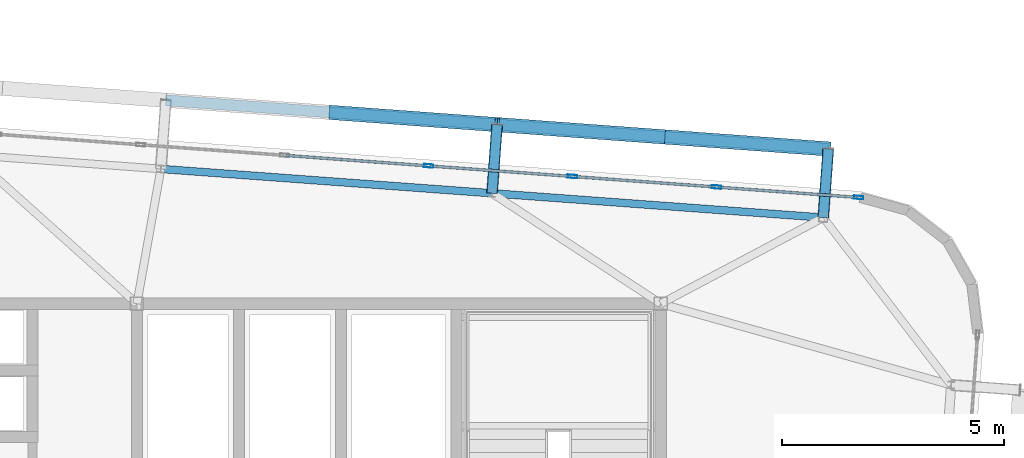
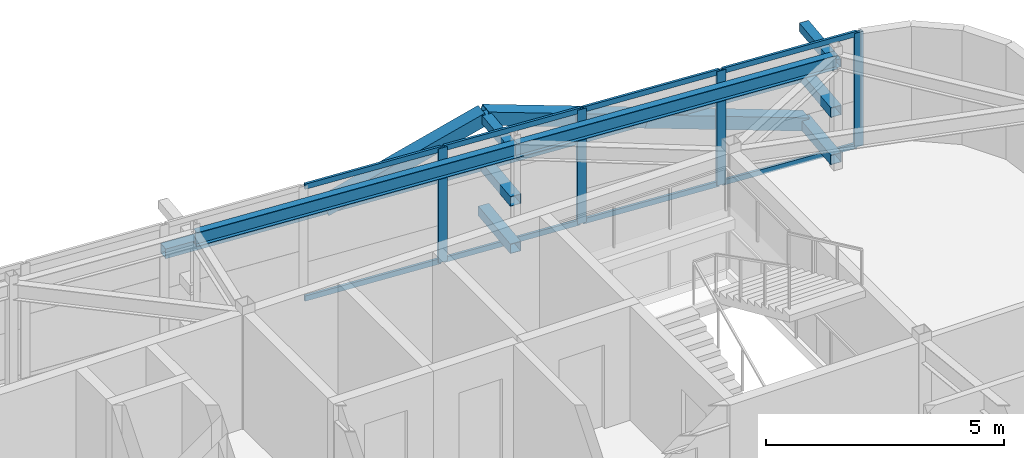
# One storey, part 28 of 42: 23 members, 2 beams, 1 element without a shape of its own.
"""IFC4 building model written with IfcOpenShell, lengths in metres."""

import ifcopenshell
import ifcopenshell.guid

model = None  # the IFC model being written
_history = None  # IfcOwnerHistory: only IFC2X3 demands one
_inside = {}  # id of a spatial element -> (the spatial element, [elements in it])
_under = {}  # id of a project, library or spatial element -> (it, [spatial elements below it])
_declared = {}  # id of a project -> (the project, [libraries it declares])
_typed = {}  # id of a type object -> (the type object, [elements of that type])
_made_of = {}  # id of a material, layer set ... -> (it, [elements and type objects made of it])


def new_model(schema):
    """Start an empty IFC model of exactly this schema.

    Asked for "IFC4X3", IfcOpenShell would pick the latest addendum, in which some entities
    have other attributes; the version numbers below select the first issue.
    IFC2X3 requires an IfcOwnerHistory on every rooted entity: one is made here for all.
    """
    global model, _history
    if schema == "IFC4X3":
        model = ifcopenshell.file(schema_version=(4, 3, 0, 0))
    else:
        model = ifcopenshell.file(schema=schema)
    _inside.clear()
    _under.clear()
    _declared.clear()
    _typed.clear()
    _made_of.clear()
    _history = None
    if model.schema == "IFC2X3":
        org = make("IfcOrganization", Name="unknown")
        user = make(
            "IfcPersonAndOrganization",
            ThePerson=make("IfcPerson", FamilyName="unknown"),
            TheOrganization=org,
        )
        app = make(
            "IfcApplication",
            ApplicationDeveloper=org,
            Version="unknown",
            ApplicationFullName="unknown",
            ApplicationIdentifier="unknown",
        )
        _history = make(
            "IfcOwnerHistory",
            OwningUser=user,
            OwningApplication=app,
            ChangeAction="ADDED",
            CreationDate=0,
        )
    return model


def make(cls, **values):
    """One entity of the class cls with the attributes given. An attribute that is None is left unset."""
    return model.create_entity(
        cls, **{name: value for name, value in values.items() if value is not None}
    )


def rooted(cls, **values):
    """An entity with a GlobalId (a new one), such as an element, a storey or a relation."""
    return make(cls, GlobalId=ifcopenshell.guid.new(), OwnerHistory=_history, **values)


def si_unit(unit_type, name, prefix=None):
    """IfcSIUnit, for example si_unit("LENGTHUNIT", "METRE", prefix="MILLI")."""
    return make("IfcSIUnit", UnitType=unit_type, Prefix=prefix, Name=name)


def assignment(units):
    """IfcUnitAssignment: the units of a project."""
    return None if units is None else make("IfcUnitAssignment", Units=units)


def point(xyz):
    """IfcCartesianPoint."""
    return None if xyz is None else make("IfcCartesianPoint", Coordinates=xyz)


def direction(xyz):
    """IfcDirection."""
    return None if xyz is None else make("IfcDirection", DirectionRatios=xyz)


def frame(location, z_axis=None, x_axis=None):
    """IfcAxis2Placement3D, a coordinate frame: its origin and axes. An axis left out is left unset."""
    return make(
        "IfcAxis2Placement3D",
        Location=point(location),
        Axis=direction(z_axis),
        RefDirection=direction(x_axis),
    )


def frame_2d(location, x_axis=None):
    """IfcAxis2Placement2D, a coordinate frame in the plane: its origin and x axis."""
    return make(
        "IfcAxis2Placement2D", Location=point(location), RefDirection=direction(x_axis)
    )


def origin():
    """The frame at (0, 0, 0) with its axes left unset."""
    return frame((0.0, 0.0, 0.0))


def origin_2d():
    """The frame at (0, 0) in the plane with its x axis left unset."""
    return frame_2d((0.0, 0.0))


def place(relative_to, where):
    """IfcLocalPlacement: puts the frame where relative to a parent placement (None: the world)."""
    return make(
        "IfcLocalPlacement", PlacementRelTo=relative_to, RelativePlacement=where
    )


def context(
    kind, dimensions, precision=None, world=None, true_north=None, identifier=None
):
    """IfcGeometricRepresentationContext, for example the 3D "Model" context."""
    return make(
        "IfcGeometricRepresentationContext",
        ContextIdentifier=identifier,
        ContextType=kind,
        CoordinateSpaceDimension=dimensions,
        Precision=precision,
        WorldCoordinateSystem=world,
        TrueNorth=true_north,
    )


def subcontext(parent, identifier, kind, view, scale=None):
    """IfcGeometricRepresentationSubContext, for example "Body" below "Model"."""
    return make(
        "IfcGeometricRepresentationSubContext",
        ContextIdentifier=identifier,
        ContextType=kind,
        ParentContext=parent,
        TargetScale=scale,
        TargetView=view,
    )


def project(units=None, contexts=None):
    """IfcProject with its units and contexts."""
    return rooted(
        "IfcProject",
        Name="project",
        RepresentationContexts=contexts,
        UnitsInContext=assignment(units),
    )


def spatial(cls, under=None, at=None, **own):
    """A site, building, storey or space (cls), placed at a placement, below another one or the project."""
    s = rooted(cls, ObjectPlacement=at, **own)
    if under is not None:
        _under.setdefault(under.id(), (under, []))[1].append(s)
    return s


def profile(cls, at=None, kind="AREA", **sizes):
    """A parametric profile (cls). Its sizes go by their IFC names, for example OverallWidth=200.0."""
    return make(cls, ProfileType=kind, Position=at, **sizes)


def hollow_rectangle(**sizes):
    """IfcRectangleHollowProfileDef."""
    return profile("IfcRectangleHollowProfileDef", **sizes)


def i_section(**sizes):
    """IfcIShapeProfileDef."""
    return profile("IfcIShapeProfileDef", **sizes)


def extrude(swept, where, along, depth):
    """IfcExtrudedAreaSolid: the profile swept, set in the frame where, extruded along a direction by depth."""
    return make(
        "IfcExtrudedAreaSolid",
        SweptArea=swept,
        Position=where,
        ExtrudedDirection=direction(along),
        Depth=depth,
    )


def shape(context_of_items, identifier, shape_type, items):
    """IfcShapeRepresentation: the items that make up one representation, for example the "Body"."""
    return make(
        "IfcShapeRepresentation",
        ContextOfItems=context_of_items,
        RepresentationIdentifier=identifier,
        RepresentationType=shape_type,
        Items=items,
    )


def source(mapping_origin, context_of_items, identifier, shape_type, items):
    """IfcRepresentationMap: a shape defined once, which mapped items show again and again."""
    return make(
        "IfcRepresentationMap",
        MappingOrigin=mapping_origin,
        MappedRepresentation=shape(context_of_items, identifier, shape_type, items),
    )


def transform(
    local_origin,
    x_axis=None,
    y_axis=None,
    z_axis=None,
    scale=None,
    scale2=None,
    scale3=None,
    uniform=True,
):
    """IfcCartesianTransformationOperator3D, or its non-uniform kind. x_axis, y_axis, z_axis: its Axis1, 2, 3."""
    if uniform:
        return make(
            "IfcCartesianTransformationOperator3D",
            Axis1=direction(x_axis),
            Axis2=direction(y_axis),
            LocalOrigin=point(local_origin),
            Scale=scale,
            Axis3=direction(z_axis),
        )
    return make(
        "IfcCartesianTransformationOperator3DnonUniform",
        Axis1=direction(x_axis),
        Axis2=direction(y_axis),
        LocalOrigin=point(local_origin),
        Scale=scale,
        Axis3=direction(z_axis),
        Scale2=scale2,
        Scale3=scale3,
    )


def mapped(mapping_source, mapping_target):
    """IfcMappedItem: shows the shape of a source again, moved by a transform."""
    return make(
        "IfcMappedItem", MappingSource=mapping_source, MappingTarget=mapping_target
    )


def material(Name=None, Category=None):
    """IfcMaterial."""
    return make("IfcMaterial", Name=Name, Category=Category)


def layer(
    of_material, thickness, ventilated=None, Name=None, Category=None, Priority=None
):
    """IfcMaterialLayer: one layer of a wall or slab, of a material (None: an air gap)."""
    return make(
        "IfcMaterialLayer",
        Material=of_material,
        LayerThickness=thickness,
        IsVentilated=ventilated,
        Name=Name,
        Category=Category,
        Priority=Priority,
    )


def layer_set(layers, Name=None):
    """IfcMaterialLayerSet."""
    return make("IfcMaterialLayerSet", MaterialLayers=layers, LayerSetName=Name)


def material_profile(
    of_material, cross_section, Name=None, Category=None, Priority=None
):
    """IfcMaterialProfile: a cross section and its material."""
    return make(
        "IfcMaterialProfile",
        Name=Name,
        Material=of_material,
        Profile=cross_section,
        Priority=Priority,
        Category=Category,
    )


def profile_set(profiles, Name=None, composite=None):
    """IfcMaterialProfileSet."""
    return make(
        "IfcMaterialProfileSet",
        Name=Name,
        MaterialProfiles=profiles,
        CompositeProfile=composite,
    )


def made_of(thing, what):
    """Note that an element or type object is made of a material, layer set ...; save() writes the relation."""
    if what is not None:
        _made_of.setdefault(what.id(), (what, []))[1].append(thing)
    return thing


def type_object(cls, material=None, **own):
    """A type object (cls), such as IfcWallType, which elements share."""
    return made_of(rooted(cls, **own), material)


def element(
    cls,
    number,
    at=None,
    inside=None,
    cuts=None,
    type_object=None,
    material=None,
    context=None,
    identifier="Body",
    shape_type=None,
    held_by="IfcProductDefinitionShape",
    body=None,
    shapes=None,
    **own,
):
    """One element of the class cls, such as IfcWall. Its Tag is "e" and its number.

    at: its placement. inside: the storey or other place that contains it. cuts: it is an
    opening in that element (IfcRelVoidsElement). A single representation is given by context,
    identifier, shape_type and body (its items); several are given by shapes. held_by: the class
    of the entity that holds the representations. save() writes the other relations.
    """
    e = rooted(cls, Tag="e%d" % number, ObjectPlacement=at, **own)
    if body is not None:
        shapes = [shape(context, identifier, shape_type, body)]
    if shapes is not None:
        e.Representation = make(held_by, Representations=shapes)
    if inside is not None:
        _inside.setdefault(inside.id(), (inside, []))[1].append(e)
    if cuts is not None:
        rooted(
            "IfcRelVoidsElement", RelatingBuildingElement=cuts, RelatedOpeningElement=e
        )
    if type_object is not None:
        _typed.setdefault(type_object.id(), (type_object, []))[1].append(e)
    return made_of(e, material)


def aggregate(whole, parts):
    """IfcRelAggregates: a whole, such as a stair, and the parts it consists of."""
    return rooted("IfcRelAggregates", RelatingObject=whole, RelatedObjects=parts)


def save(model, path):
    """Write the relations noted so far, then the file.

    IfcRelAggregates (storeys below a building ...), IfcRelContainedInSpatialStructure (elements
    in a storey), IfcRelDefinesByType, IfcRelAssociatesMaterial and IfcRelDeclares: one each for
    every whole, place, type object, material and project.
    """
    for whole, parts in _under.values():
        aggregate(whole, parts)
    for where, things in _inside.values():
        rooted(
            "IfcRelContainedInSpatialStructure",
            RelatedElements=things,
            RelatingStructure=where,
        )
    for kind, things in _typed.values():
        rooted("IfcRelDefinesByType", RelatedObjects=things, RelatingType=kind)
    for what, things in _made_of.values():
        rooted("IfcRelAssociatesMaterial", RelatedObjects=things, RelatingMaterial=what)
    for by, libraries in _declared.values():
        rooted("IfcRelDeclares", RelatingContext=by, RelatedDefinitions=libraries)
    model.write(path)


model = new_model("IFC4")

# Units and contexts
model_context = context("Model", 3, precision=1e-05, world=origin(), true_north=direction((0.0, 1.0)))
body_context = subcontext(model_context, "Body", "Model", "MODEL_VIEW")
ifc_project = project(units=[si_unit("LENGTHUNIT", "METRE"), si_unit("AREAUNIT", "SQUARE_METRE"), si_unit("VOLUMEUNIT", "CUBIC_METRE"), si_unit("PLANEANGLEUNIT", "RADIAN"), si_unit("MASSUNIT", "GRAM", prefix="KILO")], contexts=[model_context])

# Site, building, storey
site_placement = place(None, origin())
site = spatial("IfcSite", under=ifc_project, at=site_placement, CompositionType="ELEMENT")
building_placement = place(site_placement, origin())
building = spatial("IfcBuilding", under=site, at=building_placement, Name="Taldren Reach Tower", CompositionType="ELEMENT")
storey_placement = place(building_placement, frame((0.0, 0.0, 214.550048828125)))
storey = spatial("IfcBuildingStorey", under=building, at=storey_placement, Name="L65", CompositionType="ELEMENT", Elevation=214.550048828125)

# Members
ifc_material_1 = material(Name="Steel Gr 350 (C350L0)", Category="steel")
ifc_material_profile_1 = material_profile(ifc_material_1, hollow_rectangle(XDim=0.25, YDim=0.25, WallThickness=0.010009765625, at=origin_2d()), Name="250x250x10.0SHS")
ifc_profile_set_1 = profile_set([ifc_material_profile_1], Name="Steel Gr 350 (C350L0)")
member_type_1 = type_object("IfcMemberType", Name="MB-POST250", PredefinedType="POST", material=ifc_profile_set_1)
shared_shape_1 = source(origin(), body_context, "Body", "SweptSolid", [
    extrude(hollow_rectangle(XDim=0.25, YDim=0.25, WallThickness=0.010009765625, at=origin_2d()), origin(), (0.0, 0.0, 1.0), 1.550048828125),
])
for number, where, z_axis, x_axis, name in (
    (1, (47.199462890625, 34.487548828125, 0.219970703125), (0.07323929162, 0.997314396849, 0.0), (-0.997314396849, 0.07323929162, 0.0), "Exoskeleton base diaphragm tie strut B5-N5 L65"),
    (2, (54.659423828125, 33.939697265625, 0.219970703125), (0.07323929162, 0.997314396849, 0.0), (-0.997314396849, 0.07323929162, 0.0), "Exoskeleton base diaphragm tie strut B5-N6 L65"),
    (3, (47.199462890625, 34.487548828125, 1.43505859375), (0.07323929162, 0.997314396849, 0.0), (-0.997314396849, 0.07323929162, 0.0), "Exoskeleton mid-tier diaphragm tie B5-N5 L65"),
    (4, (54.659423828125, 33.939697265625, 1.43505859375), (0.07323929162, 0.997314396849, 0.0), (-0.997314396849, 0.07323929162, 0.0), "Exoskeleton mid-tier diaphragm tie B5-N6 L65"),
):
    element("IfcMember", number, at=place(storey_placement, frame(where, z_axis=z_axis, x_axis=x_axis)), inside=storey, type_object=member_type_1, Name=name, PredefinedType="POST", context=body_context, shape_type="MappedRepresentation", body=[
        mapped(shared_shape_1, transform((0.0, 0.0, 0.0), scale=1.0)),
    ])
ifc_material_2 = material(Name="Steel Gr 450 (C450L0)", Category="steel")
ifc_material_profile_2 = material_profile(ifc_material_2, hollow_rectangle(XDim=0.219970703125, YDim=0.219970703125, WallThickness=0.00830078125, at=origin_2d()), Name="220x220x8.2SHS")
ifc_profile_set_2 = profile_set([ifc_material_profile_2], Name="Steel Gr 450 (C450L0)")
member_type_2 = type_object("IfcMemberType", Name="MB-TIE219", PredefinedType="STRUT", material=ifc_profile_set_2)
shared_shape_2 = source(origin(), body_context, "Body", "SweptSolid", [
    extrude(hollow_rectangle(XDim=0.219970703125, YDim=0.219970703125, WallThickness=0.00830078125, at=origin_2d()), origin(), (0.0, 0.0, 1.0), 1.550048828125),
])
for number, where, z_axis, x_axis, name in (
    (5, (47.199462890625, 34.487548828125, 2.64990234375), (0.07323929162, 0.997314396849, 0.0), (-0.997314396849, 0.07323929162, 0.0), "Exoskeleton diaphragm tie strut B5-N5 L65"),
    (6, (54.659423828125, 33.939697265625, 2.64990234375), (0.07323929162, 0.997314396849, 0.0), (-0.997314396849, 0.07323929162, 0.0), "Exoskeleton diaphragm tie strut B5-N6 L65"),
):
    element("IfcMember", number, at=place(storey_placement, frame(where, z_axis=z_axis, x_axis=x_axis)), inside=storey, type_object=member_type_2, Name=name, PredefinedType="STRUT", context=body_context, shape_type="MappedRepresentation", body=[
        mapped(shared_shape_2, transform((0.0, 0.0, 0.0), scale=1.0)),
    ])

# Beams
ifc_material_3 = material(Name="Steel Gr 350 (350PLUS)", Category="steel")
ifc_material_profile_3 = material_profile(ifc_material_3, i_section(OverallWidth=0.172119140625, OverallDepth=0.35888671875, WebThickness=0.008056640625, FlangeThickness=0.012939453125, at=origin_2d()), Name="360UB56.7")
ifc_profile_set_3 = profile_set([ifc_material_profile_3], Name="Steel Gr 350 (350PLUS)")
beam_type = type_object("IfcBeamType", Name="SP-UB360", PredefinedType="SPANDREL", material=ifc_profile_set_3)
shared_shape_3 = source(origin(), body_context, "Body", "SweptSolid", [
    extrude(i_section(OverallWidth=0.172119140625, OverallDepth=0.35888671875, WebThickness=0.008056640625, FlangeThickness=0.012939453125, at=origin_2d()), origin(), (0.0, 0.0, 1.0), 7.47998046875),
])
for number, where, z_axis, x_axis, name in (
    (7, (54.659423828125, 33.939697265625, 2.75048828125), (-0.997314220642, 0.07324169103, 0.0), (-0.07324169103, -0.997314220642, 0.0), "Perimeter spandrel B5 N6-N5 L65"),
    (8, (47.199462890625, 34.487548828125, 2.75048828125), (-0.997314220642, 0.07324169103, 0.0), (-0.07324169103, -0.997314220642, 0.0), "Perimeter spandrel B5 N5-N4 L65"),
):
    element("IfcBeam", number, at=place(storey_placement, frame(where, z_axis=z_axis, x_axis=x_axis)), inside=storey, type_object=beam_type, Name=name, PredefinedType="SPANDREL", context=body_context, shape_type="MappedRepresentation", body=[
        mapped(shared_shape_3, transform((0.0, 0.0, 0.0), scale=1.0)),
    ])

# Members
ifc_material_profile_4 = material_profile(ifc_material_2, hollow_rectangle(XDim=0.324951171875, YDim=0.324951171875, WallThickness=0.0126953125, at=origin_2d()), Name="325x325x12.7SHS")
ifc_profile_set_4 = profile_set([ifc_material_profile_4], Name="Steel Gr 450 (C450L0)")
member_type_3 = type_object("IfcMemberType", Name="MB-BR324", PredefinedType="BRACE", material=ifc_profile_set_4)
shared_shape_4 = source(origin(), body_context, "Body", "SweptSolid", [
    extrude(hollow_rectangle(XDim=0.324951171875, YDim=0.324951171875, WallThickness=0.0126953125, at=origin_2d()), origin(), (0.0, 0.0, 1.0), 3.932373046875),
])
for number, where, z_axis, x_axis, name in (
    (9, (43.5830078125, 36.307373046875, 1.43505859375), (0.948529326954, -0.06965898055, 0.308933232813), (0.07324169103, 0.997314220642, 0.0), "Exoskeleton Diagrid Brace B5-N4 L65"),
    (10, (54.77294921875, 35.485595703125, 0.219970703125), (-0.948511132845, 0.069657644394, 0.308989390507), (-0.07324169103, -0.997314220642, 0.0), "Exoskeleton Diagrid Brace B5-N5 L65"),
    (11, (51.04296875, 35.759521484375, 1.43505859375), (-0.948529326954, 0.06965898055, 0.308933232813), (-0.07324169103, -0.997314220642, 0.0), "Exoskeleton Diagrid Brace B5-N5 L65"),
):
    element("IfcMember", number, at=place(storey_placement, frame(where, z_axis=z_axis, x_axis=x_axis)), inside=storey, type_object=member_type_3, Name=name, PredefinedType="BRACE", context=body_context, shape_type="MappedRepresentation", body=[
        mapped(shared_shape_4, transform((0.0, 0.0, 0.0), scale=1.0)),
    ])
shared_shape_5 = source(origin(), body_context, "Body", "SweptSolid", [
    extrude(hollow_rectangle(XDim=0.25, YDim=0.25, WallThickness=0.010009765625, at=origin_2d()), origin(), (0.0, 0.0, 1.0), 7.47998046875),
])
for number, where, z_axis, x_axis, name in (
    (12, (39.85302734375, 36.581298828125, 1.43505859375), (0.997314220642, -0.07324169103, 0.0), (0.07324169103, 0.997314220642, 0.0), "Exoskeleton mid-height ring chord B5-N4 L65"),
    (13, (47.31298828125, 36.033447265625, 1.43505859375), (0.997314220642, -0.07324169103, 0.0), (0.07324169103, 0.997314220642, 0.0), "Exoskeleton mid-height ring chord B5-N5 L65"),
):
    element("IfcMember", number, at=place(storey_placement, frame(where, z_axis=z_axis, x_axis=x_axis)), inside=storey, type_object=member_type_1, Name=name, PredefinedType="POST", context=body_context, shape_type="MappedRepresentation", body=[
        mapped(shared_shape_5, transform((0.0, 0.0, 0.0), scale=1.0)),
    ])

# Curtain wall, members
ifc_material_4 = material(Name="Aluminium and Low-E Glass Unitised System", Category="aluminium")
ifc_layer = layer(ifc_material_4, 0.159912109375)
ifc_layer_set = layer_set([ifc_layer], Name="Aluminium and Low-E Glass Unitised System")
curtain_wall_type = type_object("IfcCurtainWallType", Name="CW-SYS-6", PredefinedType="NOTDEFINED", material=ifc_layer_set)
curtain_wall_placement = place(storey_placement, origin())
curtain_wall = element("IfcCurtainWall", 14, at=curtain_wall_placement, inside=storey, type_object=curtain_wall_type, Name="Unitised curtain wall CW-L65-N", PredefinedType="NOTDEFINED")
ifc_material_5 = material(Name="Anodised Aluminium 6063-T6", Category="aluminium")
ifc_material_profile_5 = material_profile(ifc_material_5, hollow_rectangle(XDim=0.074951171875, YDim=0.2099609375, WallThickness=0.00439453125, at=origin_2d()), Name="ALU-210x75x4.5RHS")
ifc_profile_set_5 = profile_set([ifc_material_profile_5], Name="Anodised Aluminium 6063-T6")
member_type_4 = type_object("IfcMemberType", Name="CW-MUL-200", PredefinedType="MULLION", material=ifc_profile_set_5)
shared_shape_6 = source(origin(), body_context, "Body", "SweptSolid", [
    extrude(hollow_rectangle(XDim=0.074951171875, YDim=0.2099609375, WallThickness=0.00439453125, at=origin_2d()), origin(), (0.0, 0.0, 1.0), 2.929931640625),
])
member_1_placement = place(storey_placement, frame((55.45703125, 34.392578125, 0.0), z_axis=(0.0, 0.0, 1.0), x_axis=(-0.073238213716, -0.997314476006, 0.0)))
member_1 = element("IfcMember", 15, at=member_1_placement, type_object=member_type_4, Name="CW-6 mullion 1", PredefinedType="MULLION", context=body_context, shape_type="MappedRepresentation", body=[
    mapped(shared_shape_6, transform((0.0, 0.0, 0.0), scale=1.0)),
])
member_2_placement = place(storey_placement, frame((52.253173828125, 34.6279296875, 0.0), z_axis=(0.0, 0.0, 1.0), x_axis=(-0.073238213716, -0.997314476006, 0.0)))
member_2 = element("IfcMember", 16, at=member_2_placement, type_object=member_type_4, Name="CW-6 mullion 2", PredefinedType="MULLION", context=body_context, shape_type="MappedRepresentation", body=[
    mapped(shared_shape_6, transform((0.0, 0.0, 0.0), scale=1.0)),
])
member_3_placement = place(storey_placement, frame((49.011962890625, 34.865966796875, 0.0), z_axis=(0.0, 0.0, 1.0), x_axis=(-0.073238213716, -0.997314476006, 0.0)))
member_3 = element("IfcMember", 17, at=member_3_placement, type_object=member_type_4, Name="CW-6 mullion 3", PredefinedType="MULLION", context=body_context, shape_type="MappedRepresentation", body=[
    mapped(shared_shape_6, transform((0.0, 0.0, 0.0), scale=1.0)),
])
member_4_placement = place(storey_placement, frame((45.770751953125, 35.103759765625, 0.0), z_axis=(0.0, 0.0, 1.0), x_axis=(-0.073238213716, -0.997314476006, 0.0)))
member_4 = element("IfcMember", 18, at=member_4_placement, type_object=member_type_4, Name="CW-6 mullion 4", PredefinedType="MULLION", context=body_context, shape_type="MappedRepresentation", body=[
    mapped(shared_shape_6, transform((0.0, 0.0, 0.0), scale=1.0)),
])
ifc_material_profile_6 = material_profile(ifc_material_5, hollow_rectangle(XDim=0.06005859375, YDim=0.135009765625, WallThickness=0.00341796875, at=origin_2d()), Name="ALU-135x60x3.5RHS")
ifc_profile_set_6 = profile_set([ifc_material_profile_6], Name="Anodised Aluminium 6063-T6")
member_type_5 = type_object("IfcMemberType", Name="CW-TRN-150", PredefinedType="USERDEFINED", material=ifc_profile_set_6)
shared_shape_7 = source(origin(), body_context, "Body", "SweptSolid", [
    extrude(hollow_rectangle(XDim=0.06005859375, YDim=0.135009765625, WallThickness=0.00341796875, at=origin_2d()), origin(), (0.0, 0.0, 1.0), 3.13720703125),
])
member_5_placement = place(storey_placement, frame((55.419677734375, 34.395263671875, 0.030029296875), z_axis=(-0.997315319572, 0.073226725633, 0.0), x_axis=(-0.073226725633, -0.997315319572, 0.0)))
member_5 = element("IfcMember", 19, at=member_5_placement, type_object=member_type_5, Name="CW-6 transom 1.1", ObjectType="TRANSOM", PredefinedType="USERDEFINED", context=body_context, shape_type="MappedRepresentation", body=[
    mapped(shared_shape_7, transform((0.0, 0.0, 0.0), scale=1.0)),
])
member_6_placement = place(storey_placement, frame((55.419677734375, 34.395263671875, 2.89990234375), z_axis=(-0.997315319572, 0.073226725633, 0.0), x_axis=(-0.073226725633, -0.997315319572, 0.0)))
member_6 = element("IfcMember", 20, at=member_6_placement, type_object=member_type_5, Name="CW-6 transom 1.2", ObjectType="TRANSOM", PredefinedType="USERDEFINED", context=body_context, shape_type="MappedRepresentation", body=[
    mapped(shared_shape_7, transform((0.0, 0.0, 0.0), scale=1.0)),
])
shared_shape_8 = source(origin(), body_context, "Body", "SweptSolid", [
    extrude(hollow_rectangle(XDim=0.06005859375, YDim=0.135009765625, WallThickness=0.00341796875, at=origin_2d()), origin(), (0.0, 0.0, 1.0), 3.175048828125),
])
member_7_placement = place(storey_placement, frame((52.2158203125, 34.630615234375, 0.030029296875), z_axis=(-0.99731704481, 0.073203224877, 0.0), x_axis=(-0.073203224877, -0.99731704481, 0.0)))
member_7 = element("IfcMember", 21, at=member_7_placement, type_object=member_type_5, Name="CW-6 transom 2.1", ObjectType="TRANSOM", PredefinedType="USERDEFINED", context=body_context, shape_type="MappedRepresentation", body=[
    mapped(shared_shape_8, transform((0.0, 0.0, 0.0), scale=1.0)),
])
member_8_placement = place(storey_placement, frame((52.2158203125, 34.630615234375, 2.89990234375), z_axis=(-0.99731704481, 0.073203224877, 0.0), x_axis=(-0.073203224877, -0.99731704481, 0.0)))
member_8 = element("IfcMember", 22, at=member_8_placement, type_object=member_type_5, Name="CW-6 transom 2.2", ObjectType="TRANSOM", PredefinedType="USERDEFINED", context=body_context, shape_type="MappedRepresentation", body=[
    mapped(shared_shape_8, transform((0.0, 0.0, 0.0), scale=1.0)),
])
member_9_placement = place(storey_placement, frame((48.974609375, 34.86865234375, 0.030029296875), z_axis=(-0.99731704481, 0.073203224877, 0.0), x_axis=(-0.073203224877, -0.99731704481, 0.0)))
member_9 = element("IfcMember", 23, at=member_9_placement, type_object=member_type_5, Name="CW-6 transom 3.1", ObjectType="TRANSOM", PredefinedType="USERDEFINED", context=body_context, shape_type="MappedRepresentation", body=[
    mapped(shared_shape_8, transform((0.0, 0.0, 0.0), scale=1.0)),
])
member_10_placement = place(storey_placement, frame((48.974609375, 34.86865234375, 2.89990234375), z_axis=(-0.99731704481, 0.073203224877, 0.0), x_axis=(-0.073203224877, -0.99731704481, 0.0)))
member_10 = element("IfcMember", 24, at=member_10_placement, type_object=member_type_5, Name="CW-6 transom 3.2", ObjectType="TRANSOM", PredefinedType="USERDEFINED", context=body_context, shape_type="MappedRepresentation", body=[
    mapped(shared_shape_8, transform((0.0, 0.0, 0.0), scale=1.0)),
])
member_11_placement = place(storey_placement, frame((45.7333984375, 35.106689453125, 0.030029296875), z_axis=(-0.99731704481, 0.073203224877, 0.0), x_axis=(-0.073203224877, -0.99731704481, 0.0)))
member_11 = element("IfcMember", 25, at=member_11_placement, type_object=member_type_5, Name="CW-6 transom 4.1", ObjectType="TRANSOM", PredefinedType="USERDEFINED", context=body_context, shape_type="MappedRepresentation", body=[
    mapped(shared_shape_8, transform((0.0, 0.0, 0.0), scale=1.0)),
])
member_12_placement = place(storey_placement, frame((45.7333984375, 35.106689453125, 2.89990234375), z_axis=(-0.99731704481, 0.073203224877, 0.0), x_axis=(-0.073203224877, -0.99731704481, 0.0)))
member_12 = element("IfcMember", 26, at=member_12_placement, type_object=member_type_5, Name="CW-6 transom 4.2", ObjectType="TRANSOM", PredefinedType="USERDEFINED", context=body_context, shape_type="MappedRepresentation", body=[
    mapped(shared_shape_8, transform((0.0, 0.0, 0.0), scale=1.0)),
])
aggregate(curtain_wall, [member_1, member_2, member_3, member_4, member_5, member_6, member_7, member_8, member_9, member_10, member_11, member_12])

save(model, "model.ifc")
